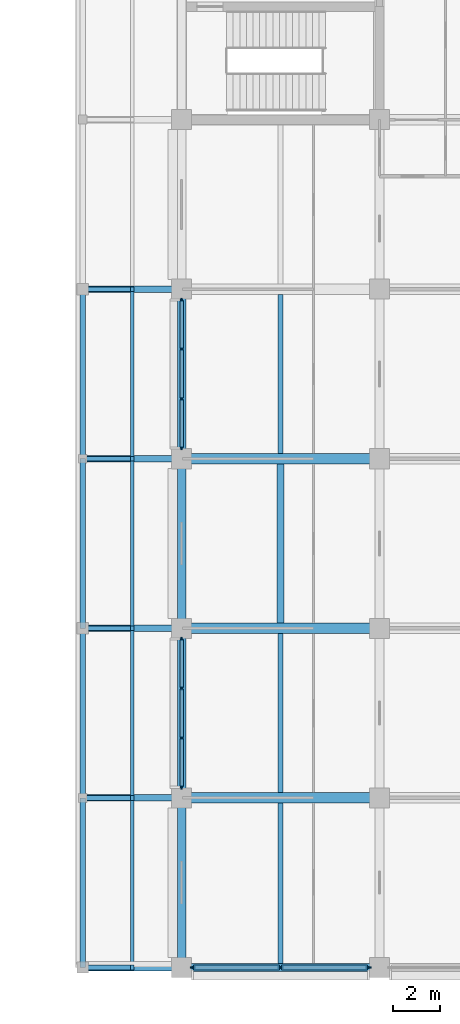
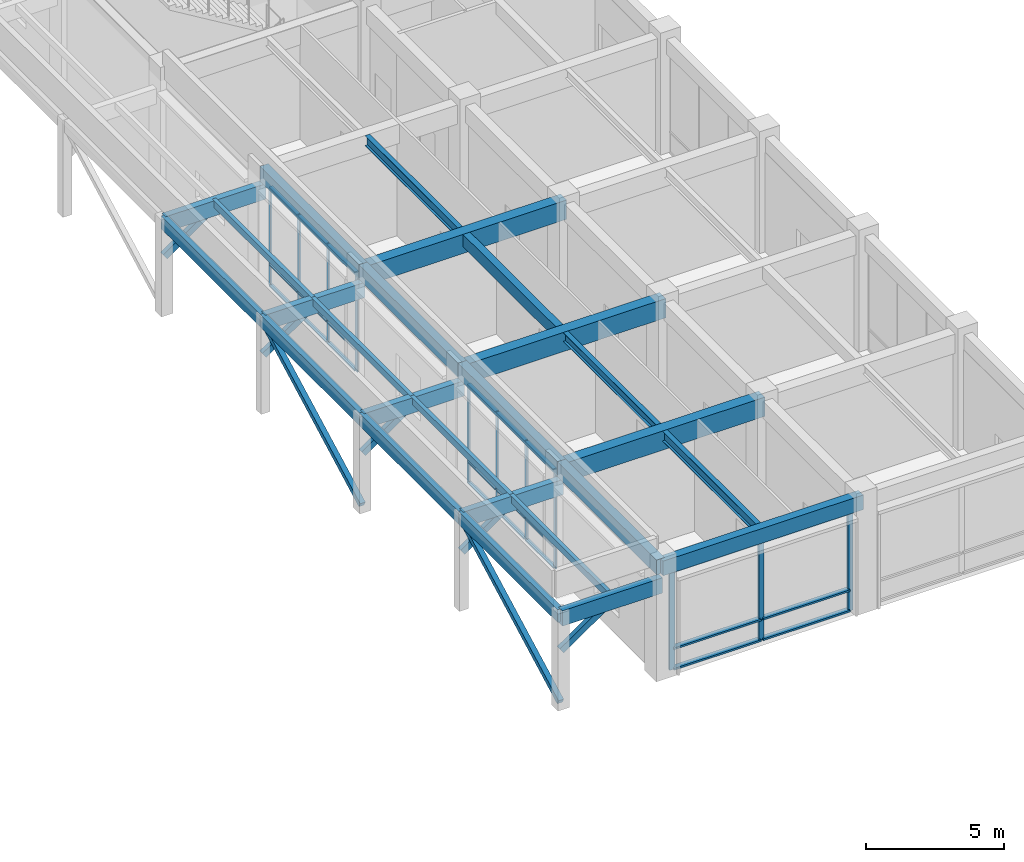
# One storey, part 20 of 68: 46 members, 21 beams, 3 elements without a shape of their own.
"""IFC4 building model written with IfcOpenShell, lengths in metres."""

from ifc_helpers import new_model, si_unit, direction, frame, origin, origin_2d, place, context, subcontext, project, spatial, rectangle, i_section, extrude, material, layer, layer_set, material_profile, profile_set, type_object, element, aggregate, save


model = new_model("IFC4")

# Units and contexts
model_context = context("Model", 3, precision=1e-05, world=origin(), true_north=direction((0.0, 1.0)))
body_context = subcontext(model_context, "Body", "Model", "MODEL_VIEW")
ifc_project = project(units=[si_unit("LENGTHUNIT", "METRE"), si_unit("AREAUNIT", "SQUARE_METRE"), si_unit("VOLUMEUNIT", "CUBIC_METRE"), si_unit("PLANEANGLEUNIT", "RADIAN"), si_unit("MASSUNIT", "GRAM", prefix="KILO")], contexts=[model_context])

# Site, building, storey
site_placement = place(None, origin())
site = spatial("IfcSite", under=ifc_project, at=site_placement, CompositionType="ELEMENT")
building_placement = place(site_placement, origin())
building = spatial("IfcBuilding", under=site, at=building_placement, Name="Chengyuan Square Courthouse", CompositionType="ELEMENT")
storey_placement = place(building_placement, frame((0.0, 0.0, 5.39990234375)))
storey = spatial("IfcBuildingStorey", under=building, at=storey_placement, Name="L02", CompositionType="ELEMENT", Elevation=5.39990234375)

# Beams
ifc_material_1 = material(Name="Concrete C40", Category="concrete")
ifc_material_profile_1 = material_profile(ifc_material_1, rectangle(XDim=0.449951171875, YDim=0.85009765625, at=origin_2d()), Name="RC-BM-450x850")
ifc_profile_set_1 = profile_set([ifc_material_profile_1], Name="Concrete C40")
beam_type_1 = type_object("IfcBeamType", Name="BM-01", PredefinedType="USERDEFINED", material=ifc_profile_set_1)
for number, where, z_axis, x_axis, name in (
    (1, (151.199951171875, 7.199951171875, 4.625), (1.0, 0.0, 0.0), (0.0, 1.0, 0.0), "Girder BM-L02-2077"),
    (2, (151.199951171875, 14.39990234375, 4.625), (1.0, 0.0, 0.0), (0.0, 1.0, 0.0), "Girder BM-L02-2081"),
    (3, (151.199951171875, 21.60009765625, 4.625), (1.0, 0.0, 0.0), (0.0, 1.0, 0.0), "Girder BM-L02-2085"),
):
    element("IfcBeam", number, at=place(storey_placement, frame(where, z_axis=z_axis, x_axis=x_axis)), inside=storey, type_object=beam_type_1, Name=name, ObjectType="GIRDER", PredefinedType="USERDEFINED", context=body_context, shape_type="SweptSolid", body=[
        extrude(rectangle(XDim=0.449951171875, YDim=0.85009765625, at=origin_2d()), origin(), (0.0, 0.0, 1.0), 8.400146484375),
    ])
ifc_material_profile_2 = material_profile(ifc_material_1, rectangle(XDim=0.35009765625, YDim=0.64990234375, at=origin_2d()), Name="RC-BM-350x650")
ifc_profile_set_2 = profile_set([ifc_material_profile_2], Name="Concrete C40")
beam_type_2 = type_object("IfcBeamType", Name="BM-03", PredefinedType="SPANDREL", material=ifc_profile_set_2)
beam_1_placement = place(storey_placement, frame((151.199951171875, 0.0, 4.72509765625), z_axis=(1.0, 0.0, 0.0), x_axis=(0.0, 1.0, 0.0)))
element("IfcBeam", 4, at=beam_1_placement, inside=storey, type_object=beam_type_2, Name="Girder BM-L02-2073", PredefinedType="SPANDREL", context=body_context, shape_type="SweptSolid", body=[
    extrude(rectangle(XDim=0.35009765625, YDim=0.64990234375, at=origin_2d()), origin(), (0.0, 0.0, 1.0), 8.400146484375),
])
for number, where, z_axis, x_axis, name in (
    (5, (151.199951171875, 0.0, 4.72509765625), (0.0, 1.0, 0.0), (-1.0, 0.0, 0.0), "Girder BM-L02-2345"),
    (6, (151.199951171875, 7.199951171875, 4.72509765625), (0.0, 1.0, 0.0), (-1.0, 0.0, 0.0), "Girder BM-L02-2346"),
):
    element("IfcBeam", number, at=place(storey_placement, frame(where, z_axis=z_axis, x_axis=x_axis)), inside=storey, type_object=beam_type_2, Name=name, PredefinedType="SPANDREL", context=body_context, shape_type="SweptSolid", body=[
        extrude(rectangle(XDim=0.35009765625, YDim=0.64990234375, at=origin_2d()), origin(), (0.0, 0.0, 1.0), 7.199951171875),
    ])
beam_2_placement = place(storey_placement, frame((151.199951171875, 14.39990234375, 4.72509765625), z_axis=(0.0, 1.0, 0.0), x_axis=(-1.0, 0.0, 0.0)))
element("IfcBeam", 7, at=beam_2_placement, inside=storey, type_object=beam_type_2, Name="Girder BM-L02-2347", PredefinedType="SPANDREL", context=body_context, shape_type="SweptSolid", body=[
    extrude(rectangle(XDim=0.35009765625, YDim=0.64990234375, at=origin_2d()), origin(), (0.0, 0.0, 1.0), 7.2001953125),
])
beam_3_placement = place(storey_placement, frame((151.199951171875, 21.60009765625, 4.72509765625), z_axis=(0.0, 1.0, 0.0), x_axis=(-1.0, 0.0, 0.0)))
element("IfcBeam", 8, at=beam_3_placement, inside=storey, type_object=beam_type_2, Name="Girder BM-L02-2348", PredefinedType="SPANDREL", context=body_context, shape_type="SweptSolid", body=[
    extrude(rectangle(XDim=0.35009765625, YDim=0.64990234375, at=origin_2d()), origin(), (0.0, 0.0, 1.0), 7.199951171875),
])
ifc_material_profile_3 = material_profile(ifc_material_1, rectangle(XDim=0.300048828125, YDim=0.550048828125, at=origin_2d()), Name="RC-BM-300x550")
ifc_profile_set_3 = profile_set([ifc_material_profile_3], Name="Concrete C40")
beam_type_3 = type_object("IfcBeamType", Name="BM-04", PredefinedType="BEAM", material=ifc_profile_set_3)
beam_4_placement = place(storey_placement, frame((155.39990234375, 14.625, 4.775146484375), z_axis=(0.0, 1.0, 0.0), x_axis=(-1.0, 0.0, 0.0)))
element("IfcBeam", 9, at=beam_4_placement, inside=storey, type_object=beam_type_3, Name="Secondary Floor Beam SBM-L02-2481", PredefinedType="BEAM", context=body_context, shape_type="SweptSolid", body=[
    extrude(rectangle(XDim=0.300048828125, YDim=0.550048828125, at=origin_2d()), origin(), (0.0, 0.0, 1.0), 6.75),
])
ifc_material_2 = material(Name="Steel Q355B", Category="steel")
ifc_material_profile_4 = material_profile(ifc_material_2, i_section(OverallWidth=0.199951171875, OverallDepth=0.449951171875, WebThickness=0.009033203125, FlangeThickness=0.013916015625, at=origin_2d()), Name="HN 450x200x9x14")
ifc_profile_set_4 = profile_set([ifc_material_profile_4], Name="Steel Q355B")
beam_type_4 = type_object("IfcBeamType", Name="BM-06", PredefinedType="BEAM", material=ifc_profile_set_4)
beam_5_placement = place(storey_placement, frame((155.39990234375, 0.175048828125, 4.8251953125), z_axis=(0.0, 1.0, 0.0), x_axis=(-1.0, 0.0, 0.0)))
element("IfcBeam", 10, at=beam_5_placement, inside=storey, type_object=beam_type_4, Name="Secondary Floor Beam SBM-L02-2479", PredefinedType="BEAM", context=body_context, shape_type="SweptSolid", body=[
    extrude(i_section(OverallWidth=0.199951171875, OverallDepth=0.449951171875, WebThickness=0.009033203125, FlangeThickness=0.013916015625, at=origin_2d()), origin(), (0.0, 0.0, 1.0), 6.800048828125),
])
beam_6_placement = place(storey_placement, frame((155.39990234375, 21.824951171875, 4.8251953125), z_axis=(0.0, 1.0, 0.0), x_axis=(-1.0, 0.0, 0.0)))
element("IfcBeam", 11, at=beam_6_placement, inside=storey, type_object=beam_type_4, Name="Secondary Floor Beam SBM-L02-2482", PredefinedType="BEAM", context=body_context, shape_type="SweptSolid", body=[
    extrude(i_section(OverallWidth=0.199951171875, OverallDepth=0.449951171875, WebThickness=0.009033203125, FlangeThickness=0.013916015625, at=origin_2d()), origin(), (0.0, 0.0, 1.0), 6.75),
])
ifc_material_profile_5 = material_profile(ifc_material_2, i_section(OverallWidth=0.199951171875, OverallDepth=0.39990234375, WebThickness=0.008056640625, FlangeThickness=0.012939453125, at=origin_2d()), Name="HN 400x200x8x13")
ifc_profile_set_5 = profile_set([ifc_material_profile_5], Name="Steel Q355B")
beam_type_5 = type_object("IfcBeamType", Name="BM-07", PredefinedType="BEAM", material=ifc_profile_set_5)
beam_7_placement = place(storey_placement, frame((155.39990234375, 7.425048828125, 4.85009765625), z_axis=(0.0, 1.0, 0.0), x_axis=(-1.0, 0.0, 0.0)))
element("IfcBeam", 12, at=beam_7_placement, inside=storey, type_object=beam_type_5, Name="Secondary Floor Beam SBM-L02-2480", PredefinedType="BEAM", context=body_context, shape_type="SweptSolid", body=[
    extrude(i_section(OverallWidth=0.199951171875, OverallDepth=0.39990234375, WebThickness=0.008056640625, FlangeThickness=0.012939453125, at=origin_2d()), origin(), (0.0, 0.0, 1.0), 6.75),
])

# Members
ifc_material_3 = material(Name="Glulam TCt28", Category="wood")
ifc_material_profile_6 = material_profile(ifc_material_3, rectangle(XDim=0.219970703125, YDim=0.219970703125, at=origin_2d()), Name="GL-BR-220x220")
ifc_profile_set_6 = profile_set([ifc_material_profile_6], Name="Glulam TCt28")
member_type_1 = type_object("IfcMemberType", Name="BR-03", PredefinedType="BRACE", material=ifc_profile_set_6)
member_1_placement = place(storey_placement, frame((147.0, 0.0, 0.2001953125), z_axis=(0.0, 0.883377366963, 0.468662381184), x_axis=(-1.0, 0.0, 0.0)))
element("IfcMember", 13, at=member_1_placement, inside=storey, type_object=member_type_1, Name="Glulam Colonnade Portal Brace GBR-L02-010", PredefinedType="BRACE", context=body_context, shape_type="SweptSolid", body=[
    extrude(rectangle(XDim=0.219970703125, YDim=0.219970703125, at=origin_2d()), origin(), (0.0, 0.0, 1.0), 8.150390625),
])
member_2_placement = place(storey_placement, frame((147.0, 14.39990234375, 0.2001953125), z_axis=(0.0, 0.883383945961, 0.468649980283), x_axis=(-1.0, 0.0, 0.0)))
element("IfcMember", 14, at=member_2_placement, inside=storey, type_object=member_type_1, Name="Glulam Colonnade Portal Brace GBR-L02-012", PredefinedType="BRACE", context=body_context, shape_type="SweptSolid", body=[
    extrude(rectangle(XDim=0.219970703125, YDim=0.219970703125, at=origin_2d()), origin(), (0.0, 0.0, 1.0), 8.150634765625),
])

# Curtain wall, members
ifc_material_4 = material(Name="Unitised Aluminium and Triple Low-E Glass", Category="aluminium")
ifc_layer_1 = layer(ifc_material_4, 0.159912109375)
ifc_layer_set_1 = layer_set([ifc_layer_1], Name="Unitised Aluminium and Triple Low-E Glass")
curtain_wall_type_1 = type_object("IfcCurtainWallType", Name="CW-17", PredefinedType="USERDEFINED", material=ifc_layer_set_1)
curtain_wall_1_placement = place(storey_placement, origin())
curtain_wall_1 = element("IfcCurtainWall", 15, at=curtain_wall_1_placement, inside=storey, type_object=curtain_wall_type_1, Name="Unitised Curtain Wall CW-L02-078", ObjectType="UNITISED CURTAIN WALL", PredefinedType="USERDEFINED")
ifc_material_5 = material(Name="Aluminium 6063-T6 Frame", Category="aluminium")
ifc_material_profile_7 = material_profile(ifc_material_5, rectangle(XDim=0.06005859375, YDim=0.159912109375, at=origin_2d()), Name="CW-MUL-60x160")
ifc_profile_set_7 = profile_set([ifc_material_profile_7], Name="Aluminium 6063-T6 Frame")
member_type_2 = type_object("IfcMemberType", Name="CWM-01", PredefinedType="MULLION", material=ifc_profile_set_7)
member_3_placement = place(storey_placement, frame((151.199951171875, 7.655029296875, 0.0), z_axis=(0.0, 0.0, 1.0), x_axis=(-1.0, 0.0, 0.0)))
member_3 = element("IfcMember", 16, at=member_3_placement, type_object=member_type_2, Name="CW-17 mullion 1", PredefinedType="MULLION", context=body_context, shape_type="SweptSolid", body=[
    extrude(rectangle(XDim=0.06005859375, YDim=0.159912109375, at=origin_2d()), origin(), (0.0, 0.0, 1.0), 4.400146484375),
])
member_4_placement = place(storey_placement, frame((151.199951171875, 9.74169921875, 0.0), z_axis=(0.0, 0.0, 1.0), x_axis=(-1.0, 0.0, 0.0)))
member_4 = element("IfcMember", 17, at=member_4_placement, type_object=member_type_2, Name="CW-17 mullion 2", PredefinedType="MULLION", context=body_context, shape_type="SweptSolid", body=[
    extrude(rectangle(XDim=0.06005859375, YDim=0.159912109375, at=origin_2d()), origin(), (0.0, 0.0, 1.0), 4.400146484375),
])
member_5_placement = place(storey_placement, frame((151.199951171875, 11.8583984375, 0.0), z_axis=(0.0, 0.0, 1.0), x_axis=(-1.0, 0.0, 0.0)))
member_5 = element("IfcMember", 18, at=member_5_placement, type_object=member_type_2, Name="CW-17 mullion 3", PredefinedType="MULLION", context=body_context, shape_type="SweptSolid", body=[
    extrude(rectangle(XDim=0.06005859375, YDim=0.159912109375, at=origin_2d()), origin(), (0.0, 0.0, 1.0), 4.400146484375),
])
member_6_placement = place(storey_placement, frame((151.199951171875, 13.945068359375, 0.0), z_axis=(0.0, 0.0, 1.0), x_axis=(-1.0, 0.0, 0.0)))
member_6 = element("IfcMember", 19, at=member_6_placement, type_object=member_type_2, Name="CW-17 mullion 4", PredefinedType="MULLION", context=body_context, shape_type="SweptSolid", body=[
    extrude(rectangle(XDim=0.06005859375, YDim=0.159912109375, at=origin_2d()), origin(), (0.0, 0.0, 1.0), 4.400146484375),
])

curtain_wall_2_placement = place(storey_placement, origin())
curtain_wall_2 = element("IfcCurtainWall", 20, at=curtain_wall_2_placement, inside=storey, type_object=curtain_wall_type_1, Name="Unitised Curtain Wall CW-L02-079", ObjectType="UNITISED CURTAIN WALL", PredefinedType="USERDEFINED")
member_7_placement = place(storey_placement, frame((151.199951171875, 22.054931640625, 0.0), z_axis=(0.0, 0.0, 1.0), x_axis=(-1.0, 0.0, 0.0)))
member_7 = element("IfcMember", 21, at=member_7_placement, type_object=member_type_2, Name="CW-17 mullion 1", PredefinedType="MULLION", context=body_context, shape_type="SweptSolid", body=[
    extrude(rectangle(XDim=0.06005859375, YDim=0.159912109375, at=origin_2d()), origin(), (0.0, 0.0, 1.0), 4.400146484375),
])
member_8_placement = place(storey_placement, frame((151.199951171875, 24.1416015625, 0.0), z_axis=(0.0, 0.0, 1.0), x_axis=(-1.0, 0.0, 0.0)))
member_8 = element("IfcMember", 22, at=member_8_placement, type_object=member_type_2, Name="CW-17 mullion 2", PredefinedType="MULLION", context=body_context, shape_type="SweptSolid", body=[
    extrude(rectangle(XDim=0.06005859375, YDim=0.159912109375, at=origin_2d()), origin(), (0.0, 0.0, 1.0), 4.400146484375),
])
member_9_placement = place(storey_placement, frame((151.199951171875, 26.25830078125, 0.0), z_axis=(0.0, 0.0, 1.0), x_axis=(-1.0, 0.0, 0.0)))
member_9 = element("IfcMember", 23, at=member_9_placement, type_object=member_type_2, Name="CW-17 mullion 3", PredefinedType="MULLION", context=body_context, shape_type="SweptSolid", body=[
    extrude(rectangle(XDim=0.06005859375, YDim=0.159912109375, at=origin_2d()), origin(), (0.0, 0.0, 1.0), 4.400146484375),
])
member_10_placement = place(storey_placement, frame((151.199951171875, 28.344970703125, 0.0), z_axis=(0.0, 0.0, 1.0), x_axis=(-1.0, 0.0, 0.0)))
member_10 = element("IfcMember", 24, at=member_10_placement, type_object=member_type_2, Name="CW-17 mullion 4", PredefinedType="MULLION", context=body_context, shape_type="SweptSolid", body=[
    extrude(rectangle(XDim=0.06005859375, YDim=0.159912109375, at=origin_2d()), origin(), (0.0, 0.0, 1.0), 4.400146484375),
])

ifc_layer_2 = layer(ifc_material_4, 0.219970703125)
ifc_layer_set_2 = layer_set([ifc_layer_2], Name="Unitised Aluminium and Triple Low-E Glass")
curtain_wall_type_2 = type_object("IfcCurtainWallType", Name="CW-04", PredefinedType="USERDEFINED", material=ifc_layer_set_2)
curtain_wall_3_placement = place(storey_placement, origin())
curtain_wall_3 = element("IfcCurtainWall", 25, at=curtain_wall_3_placement, inside=storey, type_object=curtain_wall_type_2, Name="Unitised Curtain Wall CW-L02-077", ObjectType="UNITISED CURTAIN WALL", PredefinedType="USERDEFINED")
ifc_material_profile_8 = material_profile(ifc_material_5, rectangle(XDim=0.080078125, YDim=0.219970703125, at=origin_2d()), Name="CW-MUL-80x220")
ifc_profile_set_8 = profile_set([ifc_material_profile_8], Name="Aluminium 6063-T6 Frame")
member_type_3 = type_object("IfcMemberType", Name="CWM-04", PredefinedType="MULLION", material=ifc_profile_set_8)
member_11_placement = place(storey_placement, frame((151.6650390625, 0.0, 0.0), z_axis=(0.0, 0.0, 1.0), x_axis=(0.0, 1.0, 0.0)))
member_11 = element("IfcMember", 26, at=member_11_placement, type_object=member_type_3, Name="CW-04 mullion 1", PredefinedType="MULLION", context=body_context, shape_type="SweptSolid", body=[
    extrude(rectangle(XDim=0.080078125, YDim=0.219970703125, at=origin_2d()), origin(), (0.0, 0.0, 1.0), 4.400146484375),
])
member_12_placement = place(storey_placement, frame((155.39990234375, 0.0, 0.0), z_axis=(0.0, 0.0, 1.0), x_axis=(0.0, 1.0, 0.0)))
member_12 = element("IfcMember", 27, at=member_12_placement, type_object=member_type_3, Name="CW-04 mullion 2", PredefinedType="MULLION", context=body_context, shape_type="SweptSolid", body=[
    extrude(rectangle(XDim=0.080078125, YDim=0.219970703125, at=origin_2d()), origin(), (0.0, 0.0, 1.0), 4.400146484375),
])
member_13_placement = place(storey_placement, frame((159.135009765625, 0.0, 0.0), z_axis=(0.0, 0.0, 1.0), x_axis=(0.0, 1.0, 0.0)))
member_13 = element("IfcMember", 28, at=member_13_placement, type_object=member_type_3, Name="CW-04 mullion 3", PredefinedType="MULLION", context=body_context, shape_type="SweptSolid", body=[
    extrude(rectangle(XDim=0.080078125, YDim=0.219970703125, at=origin_2d()), origin(), (0.0, 0.0, 1.0), 4.400146484375),
])

# Member
ifc_material_profile_9 = material_profile(ifc_material_5, rectangle(XDim=0.159912109375, YDim=0.06005859375, at=origin_2d()), Name="CW-TRN-60x120")
ifc_profile_set_9 = profile_set([ifc_material_profile_9], Name="Aluminium 6063-T6 Frame")
member_type_4 = type_object("IfcMemberType", Name="CWT-01", PredefinedType="USERDEFINED", material=ifc_profile_set_9)
member_14_placement = place(storey_placement, frame((151.199951171875, 7.68505859375, 0.030029296875), z_axis=(0.0, 1.0, 0.0), x_axis=(-1.0, 0.0, 0.0)))
member_14 = element("IfcMember", 29, at=member_14_placement, type_object=member_type_4, Name="CW-17 transom 1.1", ObjectType="TRANSOM", PredefinedType="USERDEFINED", context=body_context, shape_type="SweptSolid", body=[
    extrude(rectangle(XDim=0.159912109375, YDim=0.06005859375, at=origin_2d()), origin(), (0.0, 0.0, 1.0), 2.026611328125),
])

member_15_placement = place(storey_placement, frame((151.199951171875, 7.68505859375, 0.9501953125), z_axis=(0.0, 1.0, 0.0), x_axis=(-1.0, 0.0, 0.0)))
member_15 = element("IfcMember", 30, at=member_15_placement, type_object=member_type_4, Name="CW-17 transom 1.2", ObjectType="TRANSOM", PredefinedType="USERDEFINED", context=body_context, shape_type="SweptSolid", body=[
    extrude(rectangle(XDim=0.159912109375, YDim=0.06005859375, at=origin_2d()), origin(), (0.0, 0.0, 1.0), 2.026611328125),
])

member_16_placement = place(storey_placement, frame((151.199951171875, 7.68505859375, 4.3701171875), z_axis=(0.0, 1.0, 0.0), x_axis=(-1.0, 0.0, 0.0)))
member_16 = element("IfcMember", 31, at=member_16_placement, type_object=member_type_4, Name="CW-17 transom 1.3", ObjectType="TRANSOM", PredefinedType="USERDEFINED", context=body_context, shape_type="SweptSolid", body=[
    extrude(rectangle(XDim=0.159912109375, YDim=0.06005859375, at=origin_2d()), origin(), (0.0, 0.0, 1.0), 2.026611328125),
])

member_17_placement = place(storey_placement, frame((151.199951171875, 9.771728515625, 0.030029296875), z_axis=(0.0, 1.0, 0.0), x_axis=(-1.0, 0.0, 0.0)))
member_17 = element("IfcMember", 32, at=member_17_placement, type_object=member_type_4, Name="CW-17 transom 2.1", ObjectType="TRANSOM", PredefinedType="USERDEFINED", context=body_context, shape_type="SweptSolid", body=[
    extrude(rectangle(XDim=0.159912109375, YDim=0.06005859375, at=origin_2d()), origin(), (0.0, 0.0, 1.0), 2.056640625),
])

member_18_placement = place(storey_placement, frame((151.199951171875, 9.771728515625, 0.9501953125), z_axis=(0.0, 1.0, 0.0), x_axis=(-1.0, 0.0, 0.0)))
member_18 = element("IfcMember", 33, at=member_18_placement, type_object=member_type_4, Name="CW-17 transom 2.2", ObjectType="TRANSOM", PredefinedType="USERDEFINED", context=body_context, shape_type="SweptSolid", body=[
    extrude(rectangle(XDim=0.159912109375, YDim=0.06005859375, at=origin_2d()), origin(), (0.0, 0.0, 1.0), 2.056640625),
])

member_19_placement = place(storey_placement, frame((151.199951171875, 9.771728515625, 4.3701171875), z_axis=(0.0, 1.0, 0.0), x_axis=(-1.0, 0.0, 0.0)))
member_19 = element("IfcMember", 34, at=member_19_placement, type_object=member_type_4, Name="CW-17 transom 2.3", ObjectType="TRANSOM", PredefinedType="USERDEFINED", context=body_context, shape_type="SweptSolid", body=[
    extrude(rectangle(XDim=0.159912109375, YDim=0.06005859375, at=origin_2d()), origin(), (0.0, 0.0, 1.0), 2.056640625),
])

member_20_placement = place(storey_placement, frame((151.199951171875, 11.888427734375, 0.030029296875), z_axis=(0.0, 1.0, 0.0), x_axis=(-1.0, 0.0, 0.0)))
member_20 = element("IfcMember", 35, at=member_20_placement, type_object=member_type_4, Name="CW-17 transom 3.1", ObjectType="TRANSOM", PredefinedType="USERDEFINED", context=body_context, shape_type="SweptSolid", body=[
    extrude(rectangle(XDim=0.159912109375, YDim=0.06005859375, at=origin_2d()), origin(), (0.0, 0.0, 1.0), 2.026611328125),
])

member_21_placement = place(storey_placement, frame((151.199951171875, 11.888427734375, 0.9501953125), z_axis=(0.0, 1.0, 0.0), x_axis=(-1.0, 0.0, 0.0)))
member_21 = element("IfcMember", 36, at=member_21_placement, type_object=member_type_4, Name="CW-17 transom 3.2", ObjectType="TRANSOM", PredefinedType="USERDEFINED", context=body_context, shape_type="SweptSolid", body=[
    extrude(rectangle(XDim=0.159912109375, YDim=0.06005859375, at=origin_2d()), origin(), (0.0, 0.0, 1.0), 2.026611328125),
])

member_22_placement = place(storey_placement, frame((151.199951171875, 11.888427734375, 4.3701171875), z_axis=(0.0, 1.0, 0.0), x_axis=(-1.0, 0.0, 0.0)))
member_22 = element("IfcMember", 37, at=member_22_placement, type_object=member_type_4, Name="CW-17 transom 3.3", ObjectType="TRANSOM", PredefinedType="USERDEFINED", context=body_context, shape_type="SweptSolid", body=[
    extrude(rectangle(XDim=0.159912109375, YDim=0.06005859375, at=origin_2d()), origin(), (0.0, 0.0, 1.0), 2.026611328125),
])

aggregate(curtain_wall_1, [member_3, member_4, member_5, member_6, member_14, member_15, member_16, member_17, member_18, member_19, member_20, member_21, member_22])

member_23_placement = place(storey_placement, frame((151.199951171875, 22.0849609375, 0.030029296875), z_axis=(0.0, 1.0, 0.0), x_axis=(-1.0, 0.0, 0.0)))
member_23 = element("IfcMember", 38, at=member_23_placement, type_object=member_type_4, Name="CW-17 transom 1.1", ObjectType="TRANSOM", PredefinedType="USERDEFINED", context=body_context, shape_type="SweptSolid", body=[
    extrude(rectangle(XDim=0.159912109375, YDim=0.06005859375, at=origin_2d()), origin(), (0.0, 0.0, 1.0), 2.026611328125),
])

member_24_placement = place(storey_placement, frame((151.199951171875, 22.0849609375, 0.9501953125), z_axis=(0.0, 1.0, 0.0), x_axis=(-1.0, 0.0, 0.0)))
member_24 = element("IfcMember", 39, at=member_24_placement, type_object=member_type_4, Name="CW-17 transom 1.2", ObjectType="TRANSOM", PredefinedType="USERDEFINED", context=body_context, shape_type="SweptSolid", body=[
    extrude(rectangle(XDim=0.159912109375, YDim=0.06005859375, at=origin_2d()), origin(), (0.0, 0.0, 1.0), 2.026611328125),
])

member_25_placement = place(storey_placement, frame((151.199951171875, 22.0849609375, 4.3701171875), z_axis=(0.0, 1.0, 0.0), x_axis=(-1.0, 0.0, 0.0)))
member_25 = element("IfcMember", 40, at=member_25_placement, type_object=member_type_4, Name="CW-17 transom 1.3", ObjectType="TRANSOM", PredefinedType="USERDEFINED", context=body_context, shape_type="SweptSolid", body=[
    extrude(rectangle(XDim=0.159912109375, YDim=0.06005859375, at=origin_2d()), origin(), (0.0, 0.0, 1.0), 2.026611328125),
])

member_26_placement = place(storey_placement, frame((151.199951171875, 24.171630859375, 0.030029296875), z_axis=(0.0, 1.0, 0.0), x_axis=(-1.0, 0.0, 0.0)))
member_26 = element("IfcMember", 41, at=member_26_placement, type_object=member_type_4, Name="CW-17 transom 2.1", ObjectType="TRANSOM", PredefinedType="USERDEFINED", context=body_context, shape_type="SweptSolid", body=[
    extrude(rectangle(XDim=0.159912109375, YDim=0.06005859375, at=origin_2d()), origin(), (0.0, 0.0, 1.0), 2.056640625),
])

member_27_placement = place(storey_placement, frame((151.199951171875, 24.171630859375, 0.9501953125), z_axis=(0.0, 1.0, 0.0), x_axis=(-1.0, 0.0, 0.0)))
member_27 = element("IfcMember", 42, at=member_27_placement, type_object=member_type_4, Name="CW-17 transom 2.2", ObjectType="TRANSOM", PredefinedType="USERDEFINED", context=body_context, shape_type="SweptSolid", body=[
    extrude(rectangle(XDim=0.159912109375, YDim=0.06005859375, at=origin_2d()), origin(), (0.0, 0.0, 1.0), 2.056640625),
])

member_28_placement = place(storey_placement, frame((151.199951171875, 24.171630859375, 4.3701171875), z_axis=(0.0, 1.0, 0.0), x_axis=(-1.0, 0.0, 0.0)))
member_28 = element("IfcMember", 43, at=member_28_placement, type_object=member_type_4, Name="CW-17 transom 2.3", ObjectType="TRANSOM", PredefinedType="USERDEFINED", context=body_context, shape_type="SweptSolid", body=[
    extrude(rectangle(XDim=0.159912109375, YDim=0.06005859375, at=origin_2d()), origin(), (0.0, 0.0, 1.0), 2.056640625),
])

member_29_placement = place(storey_placement, frame((151.199951171875, 26.288330078125, 0.030029296875), z_axis=(0.0, 1.0, 0.0), x_axis=(-1.0, 0.0, 0.0)))
member_29 = element("IfcMember", 44, at=member_29_placement, type_object=member_type_4, Name="CW-17 transom 3.1", ObjectType="TRANSOM", PredefinedType="USERDEFINED", context=body_context, shape_type="SweptSolid", body=[
    extrude(rectangle(XDim=0.159912109375, YDim=0.06005859375, at=origin_2d()), origin(), (0.0, 0.0, 1.0), 2.026611328125),
])

member_30_placement = place(storey_placement, frame((151.199951171875, 26.288330078125, 0.9501953125), z_axis=(0.0, 1.0, 0.0), x_axis=(-1.0, 0.0, 0.0)))
member_30 = element("IfcMember", 45, at=member_30_placement, type_object=member_type_4, Name="CW-17 transom 3.2", ObjectType="TRANSOM", PredefinedType="USERDEFINED", context=body_context, shape_type="SweptSolid", body=[
    extrude(rectangle(XDim=0.159912109375, YDim=0.06005859375, at=origin_2d()), origin(), (0.0, 0.0, 1.0), 2.026611328125),
])

member_31_placement = place(storey_placement, frame((151.199951171875, 26.288330078125, 4.3701171875), z_axis=(0.0, 1.0, 0.0), x_axis=(-1.0, 0.0, 0.0)))
member_31 = element("IfcMember", 46, at=member_31_placement, type_object=member_type_4, Name="CW-17 transom 3.3", ObjectType="TRANSOM", PredefinedType="USERDEFINED", context=body_context, shape_type="SweptSolid", body=[
    extrude(rectangle(XDim=0.159912109375, YDim=0.06005859375, at=origin_2d()), origin(), (0.0, 0.0, 1.0), 2.026611328125),
])

aggregate(curtain_wall_2, [member_7, member_8, member_9, member_10, member_23, member_24, member_25, member_26, member_27, member_28, member_29, member_30, member_31])

ifc_material_profile_10 = material_profile(ifc_material_5, rectangle(XDim=0.219970703125, YDim=0.080078125, at=origin_2d()), Name="CW-TRN-80x180")
ifc_profile_set_10 = profile_set([ifc_material_profile_10], Name="Aluminium 6063-T6 Frame")
member_type_5 = type_object("IfcMemberType", Name="CWT-04", PredefinedType="USERDEFINED", material=ifc_profile_set_10)
member_32_placement = place(storey_placement, frame((151.705078125, 0.0, 0.0400390625), z_axis=(1.0, 0.0, 0.0), x_axis=(0.0, 1.0, 0.0)))
member_32 = element("IfcMember", 47, at=member_32_placement, type_object=member_type_5, Name="CW-04 transom 1.1", ObjectType="TRANSOM", PredefinedType="USERDEFINED", context=body_context, shape_type="SweptSolid", body=[
    extrude(rectangle(XDim=0.219970703125, YDim=0.080078125, at=origin_2d()), origin(), (0.0, 0.0, 1.0), 3.655029296875),
])

member_33_placement = place(storey_placement, frame((151.705078125, 0.0, 0.9501953125), z_axis=(1.0, 0.0, 0.0), x_axis=(0.0, 1.0, 0.0)))
member_33 = element("IfcMember", 48, at=member_33_placement, type_object=member_type_5, Name="CW-04 transom 1.2", ObjectType="TRANSOM", PredefinedType="USERDEFINED", context=body_context, shape_type="SweptSolid", body=[
    extrude(rectangle(XDim=0.219970703125, YDim=0.080078125, at=origin_2d()), origin(), (0.0, 0.0, 1.0), 3.655029296875),
])

member_34_placement = place(storey_placement, frame((151.705078125, 0.0, 4.360107421875), z_axis=(1.0, 0.0, 0.0), x_axis=(0.0, 1.0, 0.0)))
member_34 = element("IfcMember", 49, at=member_34_placement, type_object=member_type_5, Name="CW-04 transom 1.3", ObjectType="TRANSOM", PredefinedType="USERDEFINED", context=body_context, shape_type="SweptSolid", body=[
    extrude(rectangle(XDim=0.219970703125, YDim=0.080078125, at=origin_2d()), origin(), (0.0, 0.0, 1.0), 3.655029296875),
])

member_35_placement = place(storey_placement, frame((155.43994140625, 0.0, 0.0400390625), z_axis=(1.0, 0.0, 0.0), x_axis=(0.0, 1.0, 0.0)))
member_35 = element("IfcMember", 50, at=member_35_placement, type_object=member_type_5, Name="CW-04 transom 2.1", ObjectType="TRANSOM", PredefinedType="USERDEFINED", context=body_context, shape_type="SweptSolid", body=[
    extrude(rectangle(XDim=0.219970703125, YDim=0.080078125, at=origin_2d()), origin(), (0.0, 0.0, 1.0), 3.655029296875),
])

member_36_placement = place(storey_placement, frame((155.43994140625, 0.0, 0.9501953125), z_axis=(1.0, 0.0, 0.0), x_axis=(0.0, 1.0, 0.0)))
member_36 = element("IfcMember", 51, at=member_36_placement, type_object=member_type_5, Name="CW-04 transom 2.2", ObjectType="TRANSOM", PredefinedType="USERDEFINED", context=body_context, shape_type="SweptSolid", body=[
    extrude(rectangle(XDim=0.219970703125, YDim=0.080078125, at=origin_2d()), origin(), (0.0, 0.0, 1.0), 3.655029296875),
])

member_37_placement = place(storey_placement, frame((155.43994140625, 0.0, 4.360107421875), z_axis=(1.0, 0.0, 0.0), x_axis=(0.0, 1.0, 0.0)))
member_37 = element("IfcMember", 52, at=member_37_placement, type_object=member_type_5, Name="CW-04 transom 2.3", ObjectType="TRANSOM", PredefinedType="USERDEFINED", context=body_context, shape_type="SweptSolid", body=[
    extrude(rectangle(XDim=0.219970703125, YDim=0.080078125, at=origin_2d()), origin(), (0.0, 0.0, 1.0), 3.655029296875),
])

aggregate(curtain_wall_3, [member_11, member_12, member_13, member_32, member_33, member_34, member_35, member_36, member_37])

# Beams
ifc_material_profile_11 = material_profile(ifc_material_3, rectangle(XDim=0.280029296875, YDim=0.679931640625, at=origin_2d()), Name="GL-BM-280x680")
ifc_profile_set_11 = profile_set([ifc_material_profile_11], Name="Glulam TCt28")
beam_type_6 = type_object("IfcBeamType", Name="GLB-01", PredefinedType="BEAM", material=ifc_profile_set_11)
for number, where, z_axis, x_axis, name in (
    (53, (151.199951171875, 0.0, 3.960205078125), (-1.0, 0.0, 0.0), (0.0, -1.0, 0.0), "Glulam Colonnade Portal Beam GLB-L02-027"),
    (54, (151.199951171875, 7.199951171875, 3.960205078125), (-1.0, 0.0, 0.0), (0.0, -1.0, 0.0), "Glulam Colonnade Portal Beam GLB-L02-029"),
    (55, (151.199951171875, 14.39990234375, 3.960205078125), (-1.0, 0.0, 0.0), (0.0, -1.0, 0.0), "Glulam Colonnade Portal Beam GLB-L02-031"),
    (56, (151.199951171875, 21.60009765625, 3.960205078125), (-1.0, 0.0, 0.0), (0.0, -1.0, 0.0), "Glulam Colonnade Portal Beam GLB-L02-033"),
    (57, (151.199951171875, 28.800048828125, 3.960205078125), (-1.0, 0.0, 0.0), (0.0, -1.0, 0.0), "Glulam Colonnade Portal Beam GLB-L02-035"),
):
    element("IfcBeam", number, at=place(storey_placement, frame(where, z_axis=z_axis, x_axis=x_axis)), inside=storey, type_object=beam_type_6, Name=name, PredefinedType="BEAM", context=body_context, shape_type="SweptSolid", body=[
        extrude(rectangle(XDim=0.280029296875, YDim=0.679931640625, at=origin_2d()), origin(), (0.0, 0.0, 1.0), 4.199951171875),
    ])
ifc_material_profile_12 = material_profile(ifc_material_3, rectangle(XDim=0.239990234375, YDim=0.56005859375, at=origin_2d()), Name="GL-BM-240x560")
ifc_profile_set_12 = profile_set([ifc_material_profile_12], Name="Glulam TCt28")
beam_type_7 = type_object("IfcBeamType", Name="GLB-02", PredefinedType="BEAM", material=ifc_profile_set_12)
for number, where, z_axis, x_axis, name in (
    (58, (147.0, 0.0, 4.02001953125), (0.0, 1.0, 0.0), (-1.0, 0.0, 0.0), "Glulam Colonnade Header GLH-L02-010"),
    (59, (147.0, 7.199951171875, 4.02001953125), (0.0, 1.0, 0.0), (-1.0, 0.0, 0.0), "Glulam Colonnade Header GLH-L02-011"),
):
    element("IfcBeam", number, at=place(storey_placement, frame(where, z_axis=z_axis, x_axis=x_axis)), inside=storey, type_object=beam_type_7, Name=name, PredefinedType="BEAM", context=body_context, shape_type="SweptSolid", body=[
        extrude(rectangle(XDim=0.239990234375, YDim=0.56005859375, at=origin_2d()), origin(), (0.0, 0.0, 1.0), 7.199951171875),
    ])
beam_8_placement = place(storey_placement, frame((147.0, 14.39990234375, 4.02001953125), z_axis=(0.0, 1.0, 0.0), x_axis=(-1.0, 0.0, 0.0)))
element("IfcBeam", 60, at=beam_8_placement, inside=storey, type_object=beam_type_7, Name="Glulam Colonnade Header GLH-L02-012", PredefinedType="BEAM", context=body_context, shape_type="SweptSolid", body=[
    extrude(rectangle(XDim=0.239990234375, YDim=0.56005859375, at=origin_2d()), origin(), (0.0, 0.0, 1.0), 7.2001953125),
])
beam_9_placement = place(storey_placement, frame((147.0, 21.60009765625, 4.02001953125), z_axis=(0.0, 1.0, 0.0), x_axis=(-1.0, 0.0, 0.0)))
element("IfcBeam", 61, at=beam_9_placement, inside=storey, type_object=beam_type_7, Name="Glulam Colonnade Header GLH-L02-013", PredefinedType="BEAM", context=body_context, shape_type="SweptSolid", body=[
    extrude(rectangle(XDim=0.239990234375, YDim=0.56005859375, at=origin_2d()), origin(), (0.0, 0.0, 1.0), 7.199951171875),
])

# Members
ifc_material_profile_13 = material_profile(ifc_material_3, rectangle(XDim=0.159912109375, YDim=0.300048828125, at=origin_2d()), Name="GL-PRL-160x300")
ifc_profile_set_13 = profile_set([ifc_material_profile_13], Name="Glulam TCt28")
member_type_6 = type_object("IfcMemberType", Name="PRL-02", PredefinedType="PURLIN", material=ifc_profile_set_13)
for number, where, z_axis, x_axis, name in (
    (62, (149.10009765625, 0.0, 4.150146484375), (0.0, 1.0, 0.0), (-1.0, 0.0, 0.0), "Glulam Canopy Purlin PRL-COL-010"),
    (63, (149.10009765625, 7.199951171875, 4.150146484375), (0.0, 1.0, 0.0), (-1.0, 0.0, 0.0), "Glulam Canopy Purlin PRL-COL-011"),
):
    element("IfcMember", number, at=place(storey_placement, frame(where, z_axis=z_axis, x_axis=x_axis)), inside=storey, type_object=member_type_6, Name=name, PredefinedType="PURLIN", context=body_context, shape_type="SweptSolid", body=[
        extrude(rectangle(XDim=0.159912109375, YDim=0.300048828125, at=origin_2d()), origin(), (0.0, 0.0, 1.0), 7.199951171875),
    ])
member_38_placement = place(storey_placement, frame((149.10009765625, 14.39990234375, 4.150146484375), z_axis=(0.0, 1.0, 0.0), x_axis=(-1.0, 0.0, 0.0)))
element("IfcMember", 64, at=member_38_placement, inside=storey, type_object=member_type_6, Name="Glulam Canopy Purlin PRL-COL-012", PredefinedType="PURLIN", context=body_context, shape_type="SweptSolid", body=[
    extrude(rectangle(XDim=0.159912109375, YDim=0.300048828125, at=origin_2d()), origin(), (0.0, 0.0, 1.0), 7.2001953125),
])
member_39_placement = place(storey_placement, frame((149.10009765625, 21.60009765625, 4.150146484375), z_axis=(0.0, 1.0, 0.0), x_axis=(-1.0, 0.0, 0.0)))
element("IfcMember", 65, at=member_39_placement, inside=storey, type_object=member_type_6, Name="Glulam Canopy Purlin PRL-COL-013", PredefinedType="PURLIN", context=body_context, shape_type="SweptSolid", body=[
    extrude(rectangle(XDim=0.159912109375, YDim=0.300048828125, at=origin_2d()), origin(), (0.0, 0.0, 1.0), 7.199951171875),
])
ifc_material_profile_14 = material_profile(ifc_material_3, rectangle(XDim=0.199951171875, YDim=0.280029296875, at=origin_2d()), Name="GL-STR-200x280")
ifc_profile_set_14 = profile_set([ifc_material_profile_14], Name="Glulam TCt28")
member_type_7 = type_object("IfcMemberType", Name="STR-01", PredefinedType="STRUT", material=ifc_profile_set_14)
for number, where, z_axis, x_axis, name in (
    (66, (147.0, 0.0, 2.5), (0.821039413556, 0.0, 0.570871510402), (0.0, 1.0, 0.0), "Glulam Colonnade Knee Strut STR-L02-027"),
    (67, (147.0, 7.199951171875, 2.5), (0.821039413556, 0.0, 0.570871510402), (0.0, 1.0, 0.0), "Glulam Colonnade Knee Strut STR-L02-029"),
    (68, (147.0, 14.39990234375, 2.5), (0.821039413556, 0.0, 0.570871510402), (0.0, 1.0, 0.0), "Glulam Colonnade Knee Strut STR-L02-031"),
    (69, (147.0, 21.60009765625, 2.5), (0.821039413556, 0.0, 0.570871510402), (0.0, 1.0, 0.0), "Glulam Colonnade Knee Strut STR-L02-033"),
    (70, (147.0, 28.800048828125, 2.5), (0.821039413556, 0.0, 0.570871510402), (0.0, 1.0, 0.0), "Glulam Colonnade Knee Strut STR-L02-035"),
):
    element("IfcMember", number, at=place(storey_placement, frame(where, z_axis=z_axis, x_axis=x_axis)), inside=storey, type_object=member_type_7, Name=name, PredefinedType="STRUT", context=body_context, shape_type="SweptSolid", body=[
        extrude(rectangle(XDim=0.199951171875, YDim=0.280029296875, at=origin_2d()), origin(), (0.0, 0.0, 1.0), 2.557861328125),
    ])

save(model, "model.ifc")
